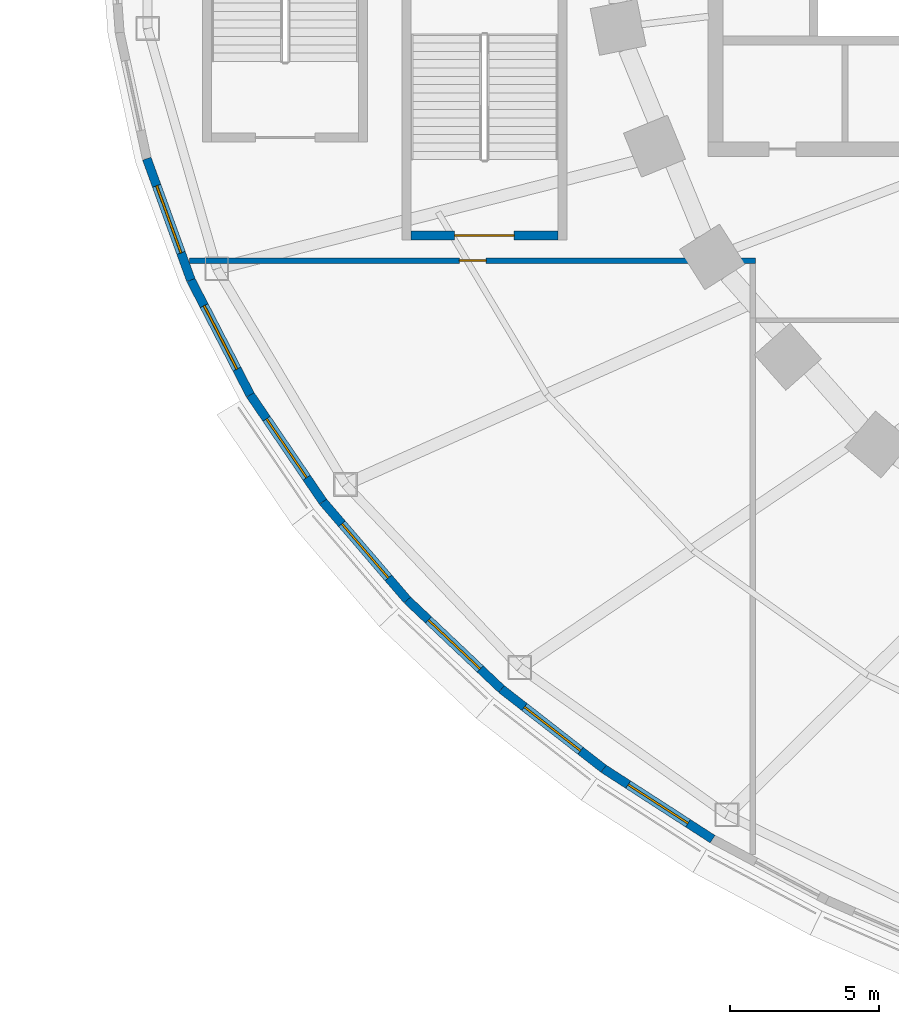
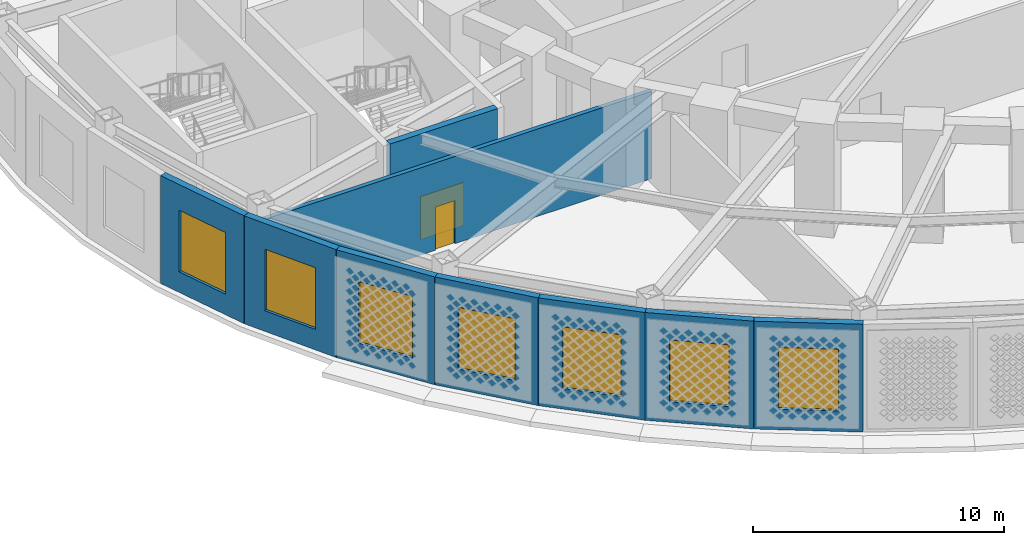
# One storey, part 12 of 69: 9 walls, 7 windows, 2 doors, 9 openings.
"""IFC4 building model written with IfcOpenShell, lengths in metres."""

from ifc_helpers import new_model, si_unit, direction, frame, frame_2d, origin, place, context, subcontext, project, spatial, rectangle, extrude, material, layer, layer_set, type_object, element, fill, save


model = new_model("IFC4")

# Units and contexts
model_context = context("Model", 3, precision=1e-05, world=origin(), true_north=direction((0.0, 1.0)))
body_context = subcontext(model_context, "Body", "Model", "MODEL_VIEW")
ifc_project = project(units=[si_unit("LENGTHUNIT", "METRE"), si_unit("AREAUNIT", "SQUARE_METRE"), si_unit("VOLUMEUNIT", "CUBIC_METRE"), si_unit("PLANEANGLEUNIT", "RADIAN"), si_unit("MASSUNIT", "GRAM", prefix="KILO")], contexts=[model_context])

# Site, building, storey
site_placement = place(None, origin())
site = spatial("IfcSite", under=ifc_project, at=site_placement, CompositionType="ELEMENT")
building_placement = place(site_placement, origin())
building = spatial("IfcBuilding", under=site, at=building_placement, Name="Noorbagh Ring Tower", CompositionType="ELEMENT")
storey_placement = place(building_placement, frame((0.0, 0.0, 19.5)))
storey = spatial("IfcBuildingStorey", under=building, at=storey_placement, Name="L03", CompositionType="ELEMENT", Elevation=19.5)

# Wall, opening, window
ifc_material_1 = material(Name="Blockwork faced with red sandstone", Category="masonry")
ifc_layer_1 = layer(ifc_material_1, 0.300048828125)
ifc_layer_set_1 = layer_set([ifc_layer_1], Name="Blockwork faced with red sandstone")
wall_type_1 = type_object("IfcWallType", Name="GND-ENV-WALL", PredefinedType="SOLIDWALL", material=ifc_layer_set_1)
wall_1_placement = place(storey_placement, frame((-50.3759765625, -8.56787109375, 0.0), z_axis=(0.0, 0.0, 1.0), x_axis=(0.341286990045, -0.939959142956, 0.0)))
wall_1 = element("IfcWall", 1, at=wall_1_placement, inside=storey, type_object=wall_type_1, Name="Podium wall", PredefinedType="SOLIDWALL", context=body_context, shape_type="SweptSolid", body=[
    extrude(rectangle(XDim=4.341552734375, YDim=0.300048828125, at=frame_2d((2.1708984375, 0.0))), origin(), (0.0, 0.0, 1.0), 5.25),
])
opening_1_placement = place(wall_1_placement, frame((0.970703125, 0.0, 1.0)))
opening_1 = element("IfcOpeningElement", 2, at=opening_1_placement, cuts=wall_1, Name="Opening GWN1", PredefinedType="OPENING", context=body_context, shape_type="SweptSolid", body=[
    extrude(rectangle(XDim=2.39990234375, YDim=3.0, at=frame_2d((1.199951171875, 1.5))), frame((0.0, 0.16015625, 0.0), z_axis=(0.0, -1.0, 0.0), x_axis=(1.0, 0.0, 0.0)), (0.0, 0.0, 1.0), 0.320068359375),
])
ifc_material_2 = material(Name="Aluminium and glass", Category="aluminium")
window_type = type_object("IfcWindowType", Name="GND-ENV-WINDOW", PartitioningType="SINGLE_PANEL", PredefinedType="WINDOW", material=ifc_material_2)
window_1_placement = place(opening_1_placement, origin())
window_1 = element("IfcWindow", 3, at=window_1_placement, inside=storey, type_object=window_type, Name="L03 podium window", OverallHeight=3.0, OverallWidth=2.39990234375, PartitioningType="SINGLE_PANEL", PredefinedType="WINDOW", context=body_context, shape_type="SweptSolid", body=[
    extrude(rectangle(XDim=2.39990234375, YDim=3.0, at=frame_2d((1.199951171875, 1.5))), frame((0.0, 0.030029296875, 0.0), z_axis=(0.0, -1.0, 0.0), x_axis=(1.0, 0.0, 0.0)), (0.0, 0.0, 1.0), 0.06005859375),
])
fill(opening_1, window_1)

wall_2_placement = place(storey_placement, frame((-48.894287109375, -12.648681640625, 0.0), z_axis=(0.0, 0.0, 1.0), x_axis=(0.459242531468, -0.888310923771, 0.0)))
wall_2 = element("IfcWall", 4, at=wall_2_placement, inside=storey, type_object=wall_type_1, Name="Podium wall", PredefinedType="SOLIDWALL", context=body_context, shape_type="SweptSolid", body=[
    extrude(rectangle(XDim=4.344970703125, YDim=0.300048828125, at=frame_2d((2.17236328125, 0.0))), origin(), (0.0, 0.0, 1.0), 5.25),
])
opening_2_placement = place(wall_2_placement, frame((0.972412109375, 0.0, 1.0)))
opening_2 = element("IfcOpeningElement", 5, at=opening_2_placement, cuts=wall_2, Name="Opening GWN1", PredefinedType="OPENING", context=body_context, shape_type="SweptSolid", body=[
    extrude(rectangle(XDim=2.39990234375, YDim=3.0, at=frame_2d((1.199951171875, 1.5))), frame((0.0, 0.16015625, 0.0), z_axis=(0.0, -1.0, 0.0), x_axis=(1.0, 0.0, 0.0)), (0.0, 0.0, 1.0), 0.320068359375),
])
window_2_placement = place(opening_2_placement, origin())
window_2 = element("IfcWindow", 6, at=window_2_placement, inside=storey, type_object=window_type, Name="L03 podium window", OverallHeight=3.0, OverallWidth=2.39990234375, PartitioningType="SINGLE_PANEL", PredefinedType="WINDOW", context=body_context, shape_type="SweptSolid", body=[
    extrude(rectangle(XDim=2.39990234375, YDim=3.0, at=frame_2d((1.199951171875, 1.5))), frame((0.0, 0.030029296875, 0.0), z_axis=(0.0, -1.0, 0.0), x_axis=(1.0, 0.0, 0.0)), (0.0, 0.0, 1.0), 0.06005859375),
])
fill(opening_2, window_2)

wall_3_placement = place(storey_placement, frame((-46.89892578125, -16.50830078125, 0.0), z_axis=(0.0, 0.0, 1.0), x_axis=(0.562667738859, -0.82668314102, 0.0)))
wall_3 = element("IfcWall", 7, at=wall_3_placement, inside=storey, type_object=wall_type_1, Name="Podium wall", PredefinedType="SOLIDWALL", context=body_context, shape_type="SweptSolid", body=[
    extrude(rectangle(XDim=4.348876953125, YDim=0.300048828125, at=frame_2d((2.17431640625, 0.0))), origin(), (0.0, 0.0, 1.0), 5.25),
])
opening_3_placement = place(wall_3_placement, frame((0.974365234375, 0.0, 1.0)))
opening_3 = element("IfcOpeningElement", 8, at=opening_3_placement, cuts=wall_3, Name="Opening GWN1", PredefinedType="OPENING", context=body_context, shape_type="SweptSolid", body=[
    extrude(rectangle(XDim=2.39990234375, YDim=3.0, at=frame_2d((1.199951171875, 1.5))), frame((0.0, 0.16015625, 0.0), z_axis=(0.0, -1.0, 0.0), x_axis=(1.0, 0.0, 0.0)), (0.0, 0.0, 1.0), 0.320068359375),
])
window_3_placement = place(opening_3_placement, origin())
window_3 = element("IfcWindow", 9, at=window_3_placement, inside=storey, type_object=window_type, Name="L03 podium window", OverallHeight=3.0, OverallWidth=2.39990234375, PartitioningType="SINGLE_PANEL", PredefinedType="WINDOW", context=body_context, shape_type="SweptSolid", body=[
    extrude(rectangle(XDim=2.39990234375, YDim=3.0, at=frame_2d((1.199951171875, 1.5))), frame((0.0, 0.030029296875, 0.0), z_axis=(0.0, -1.0, 0.0), x_axis=(1.0, 0.0, 0.0)), (0.0, 0.0, 1.0), 0.06005859375),
])
fill(opening_3, window_3)

wall_4_placement = place(storey_placement, frame((-44.451904296875, -20.103515625, 0.0), z_axis=(0.0, 0.0, 1.0), x_axis=(0.651387059497, -0.758745608699, 0.0)))
wall_4 = element("IfcWall", 10, at=wall_4_placement, inside=storey, type_object=wall_type_1, Name="Podium wall", PredefinedType="SOLIDWALL", context=body_context, shape_type="SweptSolid", body=[
    extrude(rectangle(XDim=4.3525390625, YDim=0.300048828125, at=frame_2d((2.17626953125, 0.0))), origin(), (0.0, 0.0, 1.0), 5.25),
])
opening_4_placement = place(wall_4_placement, frame((0.976318359375, 0.0, 1.0)))
opening_4 = element("IfcOpeningElement", 11, at=opening_4_placement, cuts=wall_4, Name="Opening GWN1", PredefinedType="OPENING", context=body_context, shape_type="SweptSolid", body=[
    extrude(rectangle(XDim=2.39990234375, YDim=3.0, at=frame_2d((1.199951171875, 1.5))), frame((0.0, 0.16015625, 0.0), z_axis=(0.0, -1.0, 0.0), x_axis=(1.0, 0.0, 0.0)), (0.0, 0.0, 1.0), 0.320068359375),
])
window_4_placement = place(opening_4_placement, origin())
window_4 = element("IfcWindow", 12, at=window_4_placement, inside=storey, type_object=window_type, Name="L03 podium window", OverallHeight=3.0, OverallWidth=2.39990234375, PartitioningType="SINGLE_PANEL", PredefinedType="WINDOW", context=body_context, shape_type="SweptSolid", body=[
    extrude(rectangle(XDim=2.39990234375, YDim=3.0, at=frame_2d((1.199951171875, 1.5))), frame((0.0, 0.030029296875, 0.0), z_axis=(0.0, -1.0, 0.0), x_axis=(1.0, 0.0, 0.0)), (0.0, 0.0, 1.0), 0.06005859375),
])
fill(opening_4, window_4)

wall_5_placement = place(storey_placement, frame((-41.61669921875, -23.406005859375, 0.0), z_axis=(0.0, 0.0, 1.0), x_axis=(0.72620446032, -0.687478786444, 0.0)))
wall_5 = element("IfcWall", 13, at=wall_5_placement, inside=storey, type_object=wall_type_1, Name="Podium wall", PredefinedType="SOLIDWALL", context=body_context, shape_type="SweptSolid", body=[
    extrude(rectangle(XDim=4.356201171875, YDim=0.300048828125, at=frame_2d((2.17822265625, 0.0))), origin(), (0.0, 0.0, 1.0), 5.25),
])
opening_5_placement = place(wall_5_placement, frame((0.97802734375, 0.0, 1.0)))
opening_5 = element("IfcOpeningElement", 14, at=opening_5_placement, cuts=wall_5, Name="Opening GWN1", PredefinedType="OPENING", context=body_context, shape_type="SweptSolid", body=[
    extrude(rectangle(XDim=2.39990234375, YDim=3.0, at=frame_2d((1.199951171875, 1.5))), frame((0.0, 0.16015625, 0.0), z_axis=(0.0, -1.0, 0.0), x_axis=(1.0, 0.0, 0.0)), (0.0, 0.0, 1.0), 0.320068359375),
])
window_5_placement = place(opening_5_placement, origin())
window_5 = element("IfcWindow", 15, at=window_5_placement, inside=storey, type_object=window_type, Name="L03 podium window", OverallHeight=3.0, OverallWidth=2.39990234375, PartitioningType="SINGLE_PANEL", PredefinedType="WINDOW", context=body_context, shape_type="SweptSolid", body=[
    extrude(rectangle(XDim=2.39990234375, YDim=3.0, at=frame_2d((1.199951171875, 1.5))), frame((0.0, 0.030029296875, 0.0), z_axis=(0.0, -1.0, 0.0), x_axis=(1.0, 0.0, 0.0)), (0.0, 0.0, 1.0), 0.06005859375),
])
fill(opening_5, window_5)

wall_6_placement = place(storey_placement, frame((-38.453125, -26.40087890625, 0.0), z_axis=(0.0, 0.0, 1.0), x_axis=(0.788491985196, -0.615045030288, 0.0)))
wall_6 = element("IfcWall", 16, at=wall_6_placement, inside=storey, type_object=wall_type_1, Name="Podium wall", PredefinedType="SOLIDWALL", context=body_context, shape_type="SweptSolid", body=[
    extrude(rectangle(XDim=4.359375, YDim=0.300048828125, at=frame_2d((2.1796875, 0.0))), origin(), (0.0, 0.0, 1.0), 5.25),
])
opening_6_placement = place(wall_6_placement, frame((0.979736328125, 0.0, 1.0)))
opening_6 = element("IfcOpeningElement", 17, at=opening_6_placement, cuts=wall_6, Name="Opening GWN1", PredefinedType="OPENING", context=body_context, shape_type="SweptSolid", body=[
    extrude(rectangle(XDim=2.39990234375, YDim=3.0, at=frame_2d((1.199951171875, 1.5))), frame((0.0, 0.16015625, 0.0), z_axis=(0.0, -1.0, 0.0), x_axis=(1.0, 0.0, 0.0)), (0.0, 0.0, 1.0), 0.320068359375),
])
window_6_placement = place(opening_6_placement, origin())
window_6 = element("IfcWindow", 18, at=window_6_placement, inside=storey, type_object=window_type, Name="L03 podium window", OverallHeight=3.0, OverallWidth=2.39990234375, PartitioningType="SINGLE_PANEL", PredefinedType="WINDOW", context=body_context, shape_type="SweptSolid", body=[
    extrude(rectangle(XDim=2.39990234375, YDim=3.0, at=frame_2d((1.199951171875, 1.5))), frame((0.0, 0.030029296875, 0.0), z_axis=(0.0, -1.0, 0.0), x_axis=(1.0, 0.0, 0.0)), (0.0, 0.0, 1.0), 0.06005859375),
])
fill(opening_6, window_6)

wall_7_placement = place(storey_placement, frame((-35.015869140625, -29.08203125, 0.0), z_axis=(0.0, 0.0, 1.0), x_axis=(0.840047348843, -0.542513088969, 0.0)))
wall_7 = element("IfcWall", 19, at=wall_7_placement, inside=storey, type_object=wall_type_1, Name="Podium wall", PredefinedType="SOLIDWALL", context=body_context, shape_type="SweptSolid", body=[
    extrude(rectangle(XDim=4.362060546875, YDim=0.300048828125, at=frame_2d((2.18115234375, 0.0))), origin(), (0.0, 0.0, 1.0), 5.25),
])
opening_7_placement = place(wall_7_placement, frame((0.98095703125, 0.0, 1.0)))
opening_7 = element("IfcOpeningElement", 20, at=opening_7_placement, cuts=wall_7, Name="Opening GWN1", PredefinedType="OPENING", context=body_context, shape_type="SweptSolid", body=[
    extrude(rectangle(XDim=2.39990234375, YDim=3.0, at=frame_2d((1.199951171875, 1.5))), frame((0.0, 0.16015625, 0.0), z_axis=(0.0, -1.0, 0.0), x_axis=(1.0, 0.0, 0.0)), (0.0, 0.0, 1.0), 0.320068359375),
])
window_7_placement = place(opening_7_placement, origin())
window_7 = element("IfcWindow", 21, at=window_7_placement, inside=storey, type_object=window_type, Name="L03 podium window", OverallHeight=3.0, OverallWidth=2.39990234375, PartitioningType="SINGLE_PANEL", PredefinedType="WINDOW", context=body_context, shape_type="SweptSolid", body=[
    extrude(rectangle(XDim=2.39990234375, YDim=3.0, at=frame_2d((1.199951171875, 1.5))), frame((0.0, 0.030029296875, 0.0), z_axis=(0.0, -1.0, 0.0), x_axis=(1.0, 0.0, 0.0)), (0.0, 0.0, 1.0), 0.06005859375),
])
fill(opening_7, window_7)

# Wall, opening, door
ifc_material_3 = material(Name="Reinforced blockwork", Category="masonry")
ifc_layer_2 = layer(ifc_material_3, 0.199951171875)
ifc_layer_set_2 = layer_set([ifc_layer_2], Name="Reinforced blockwork")
wall_type_2 = type_object("IfcWallType", Name="GND-PART-200", PredefinedType="PARTITIONING", material=ifc_layer_set_2)
wall_8_placement = place(storey_placement, frame((-48.940185546875, -12.0, 0.0), z_axis=(0.0, 0.0, 1.0), x_axis=(1.0, 0.0, 0.0)))
wall_8 = element("IfcWall", 22, at=wall_8_placement, inside=storey, type_object=wall_type_2, Name="L03/wall/P024", PredefinedType="PARTITIONING", context=body_context, shape_type="SweptSolid", body=[
    extrude(rectangle(XDim=19.040283203125, YDim=0.199951171875, at=frame_2d((9.52001953125, 0.0))), origin(), (0.0, 0.0, 1.0), 4.25),
])
opening_8_placement = place(wall_8_placement, frame((9.0703125, 0.0, 0.0)))
opening_8 = element("IfcOpeningElement", 23, at=opening_8_placement, cuts=wall_8, Name="Opening GD10", PredefinedType="OPENING", context=body_context, shape_type="SweptSolid", body=[
    extrude(rectangle(XDim=0.89990234375, YDim=2.10009765625, at=frame_2d((0.449951171875, 1.050048828125))), frame((0.0, 0.10986328125, 0.0), z_axis=(0.0, -1.0, 0.0), x_axis=(1.0, 0.0, 0.0)), (0.0, 0.0, 1.0), 0.219970703125),
])
ifc_material_4 = material(Name="Steel", Category="steel")
door_type_1 = type_object("IfcDoorType", Name="GND-DOOR-HALL-FD60", OperationType="SINGLE_SWING_LEFT", PredefinedType="DOOR", material=ifc_material_4)
door_1_placement = place(opening_8_placement, origin())
door_1 = element("IfcDoor", 24, at=door_1_placement, inside=storey, type_object=door_type_1, Name="Exhibition store door", OperationType="SINGLE_SWING_RIGHT", OverallHeight=2.10009765625, OverallWidth=0.89990234375, PredefinedType="DOOR", context=body_context, shape_type="SweptSolid", body=[
    extrude(rectangle(XDim=0.89990234375, YDim=2.10009765625, at=frame_2d((0.449951171875, 1.050048828125))), frame((0.0, 0.02490234375, 0.0), z_axis=(0.0, -1.0, 0.0), x_axis=(1.0, 0.0, 0.0)), (0.0, 0.0, 1.0), 0.050048828125),
])
fill(opening_8, door_1)

ifc_material_5 = material(Name="Concrete C60/75", Category="concrete")
ifc_layer_3 = layer(ifc_material_5, 0.300048828125)
ifc_layer_set_3 = layer_set([ifc_layer_3], Name="Concrete C60/75")
wall_type_3 = type_object("IfcWallType", Name="GND-STAIR-WALL", PredefinedType="SHEAR", material=ifc_layer_set_3)
wall_9_placement = place(storey_placement, frame((-41.5, -11.14990234375, 0.0), z_axis=(0.0, 0.0, 1.0), x_axis=(1.0, 0.0, 0.0)))
wall_9 = element("IfcWall", 25, at=wall_9_placement, inside=storey, type_object=wall_type_3, Name="Exit stair ST-P1 wall", PredefinedType="SHEAR", context=body_context, shape_type="SweptSolid", body=[
    extrude(rectangle(XDim=4.949951171875, YDim=0.300048828125, at=frame_2d((2.47509765625, 0.0))), origin(), (0.0, 0.0, 1.0), 5.25),
])
opening_9_placement = place(wall_9_placement, frame((1.47509765625, 0.0, 0.0)))
opening_9 = element("IfcOpeningElement", 26, at=opening_9_placement, cuts=wall_9, Name="Opening GD17", PredefinedType="OPENING", context=body_context, shape_type="SweptSolid", body=[
    extrude(rectangle(XDim=2.0, YDim=2.10009765625, at=frame_2d((1.0, 1.050048828125))), frame((0.0, 0.16015625, 0.0), z_axis=(0.0, -1.0, 0.0), x_axis=(1.0, 0.0, 0.0)), (0.0, 0.0, 1.0), 0.320068359375),
])
ifc_material_6 = material(Name="Steel", Category="steel")
door_type_2 = type_object("IfcDoorType", Name="GND-STAIR-DOOR", OperationType="DOUBLE_DOOR_SINGLE_SWING", PredefinedType="DOOR", material=ifc_material_6)
door_2_placement = place(opening_9_placement, origin())
door_2 = element("IfcDoor", 27, at=door_2_placement, inside=storey, type_object=door_type_2, Name="Exit stair ST-P1 door", OperationType="DOUBLE_DOOR_SINGLE_SWING", OverallHeight=2.10009765625, OverallWidth=2.0, PredefinedType="DOOR", context=body_context, shape_type="SweptSolid", body=[
    extrude(rectangle(XDim=2.0, YDim=2.10009765625, at=frame_2d((1.0, 1.050048828125))), frame((0.0, 0.02490234375, 0.0), z_axis=(0.0, -1.0, 0.0), x_axis=(1.0, 0.0, 0.0)), (0.0, 0.0, 1.0), 0.050048828125),
])
fill(opening_9, door_2)

save(model, "model.ifc")
